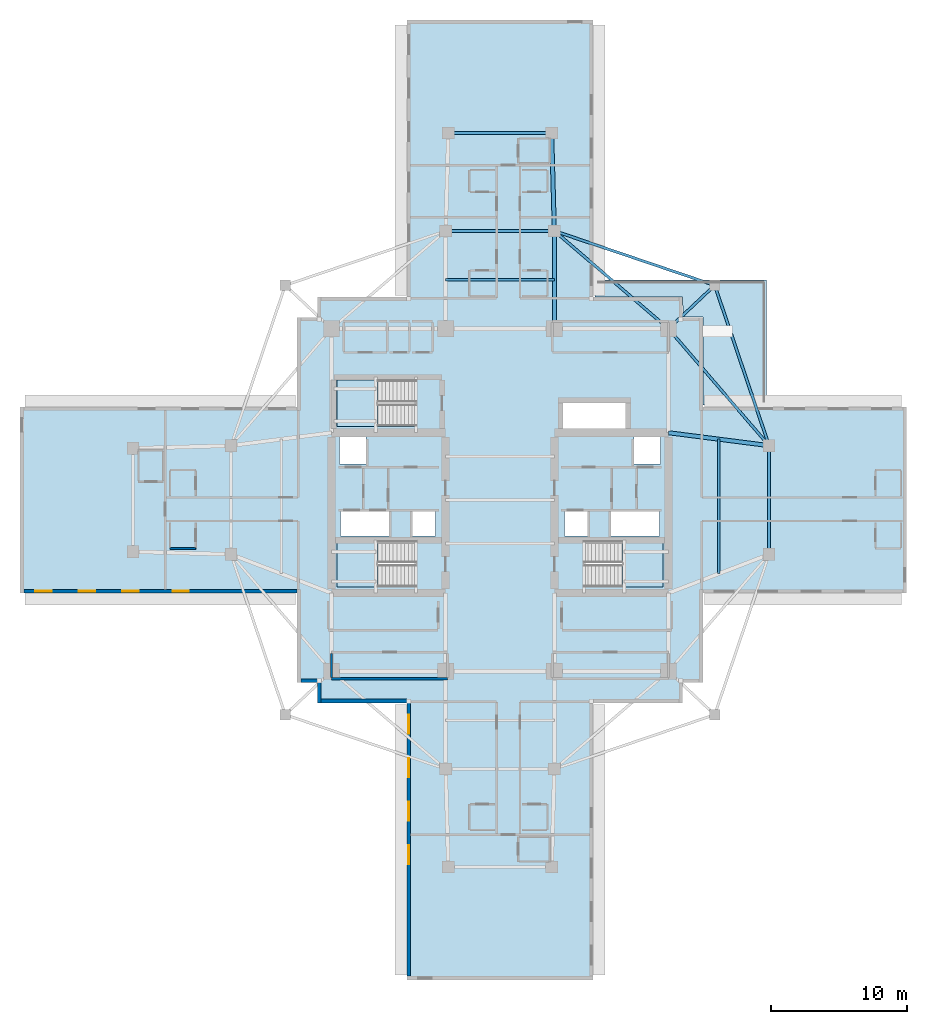
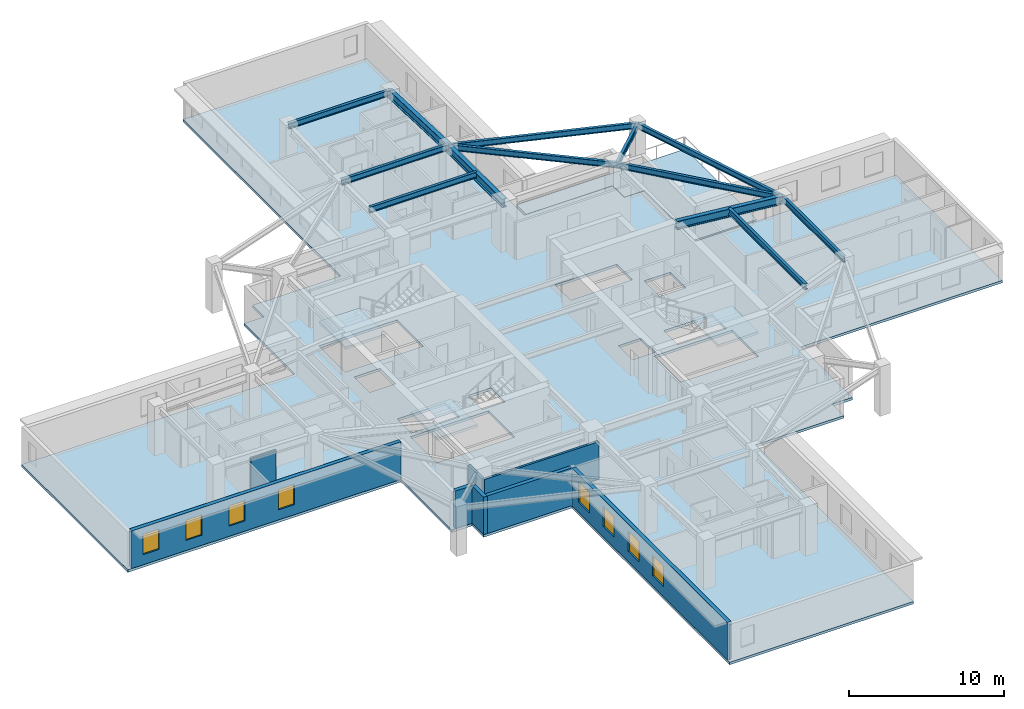
# One storey, part 2 of 13: 13 beams, 8 walls, 8 windows, 5 slabs, 8 openings, 3 elements without a shape of their own.
"""IFC4 building model written with IfcOpenShell, lengths in metres."""

import ifcopenshell
import ifcopenshell.guid

model = None  # the IFC model being written
_history = None  # IfcOwnerHistory: only IFC2X3 demands one
_inside = {}  # id of a spatial element -> (the spatial element, [elements in it])
_under = {}  # id of a project, library or spatial element -> (it, [spatial elements below it])
_declared = {}  # id of a project -> (the project, [libraries it declares])
_typed = {}  # id of a type object -> (the type object, [elements of that type])
_made_of = {}  # id of a material, layer set ... -> (it, [elements and type objects made of it])


def new_model(schema):
    """Start an empty IFC model of exactly this schema.

    Asked for "IFC4X3", IfcOpenShell would pick the latest addendum, in which some entities
    have other attributes; the version numbers below select the first issue.
    IFC2X3 requires an IfcOwnerHistory on every rooted entity: one is made here for all.
    """
    global model, _history
    if schema == "IFC4X3":
        model = ifcopenshell.file(schema_version=(4, 3, 0, 0))
    else:
        model = ifcopenshell.file(schema=schema)
    _inside.clear()
    _under.clear()
    _declared.clear()
    _typed.clear()
    _made_of.clear()
    _history = None
    if model.schema == "IFC2X3":
        org = make("IfcOrganization", Name="unknown")
        user = make(
            "IfcPersonAndOrganization",
            ThePerson=make("IfcPerson", FamilyName="unknown"),
            TheOrganization=org,
        )
        app = make(
            "IfcApplication",
            ApplicationDeveloper=org,
            Version="unknown",
            ApplicationFullName="unknown",
            ApplicationIdentifier="unknown",
        )
        _history = make(
            "IfcOwnerHistory",
            OwningUser=user,
            OwningApplication=app,
            ChangeAction="ADDED",
            CreationDate=0,
        )
    return model


def make(cls, **values):
    """One entity of the class cls with the attributes given. An attribute that is None is left unset."""
    return model.create_entity(
        cls, **{name: value for name, value in values.items() if value is not None}
    )


def rooted(cls, **values):
    """An entity with a GlobalId (a new one), such as an element, a storey or a relation."""
    return make(cls, GlobalId=ifcopenshell.guid.new(), OwnerHistory=_history, **values)


def si_unit(unit_type, name, prefix=None):
    """IfcSIUnit, for example si_unit("LENGTHUNIT", "METRE", prefix="MILLI")."""
    return make("IfcSIUnit", UnitType=unit_type, Prefix=prefix, Name=name)


def assignment(units):
    """IfcUnitAssignment: the units of a project."""
    return None if units is None else make("IfcUnitAssignment", Units=units)


def point(xyz):
    """IfcCartesianPoint."""
    return None if xyz is None else make("IfcCartesianPoint", Coordinates=xyz)


def direction(xyz):
    """IfcDirection."""
    return None if xyz is None else make("IfcDirection", DirectionRatios=xyz)


def frame(location, z_axis=None, x_axis=None):
    """IfcAxis2Placement3D, a coordinate frame: its origin and axes. An axis left out is left unset."""
    return make(
        "IfcAxis2Placement3D",
        Location=point(location),
        Axis=direction(z_axis),
        RefDirection=direction(x_axis),
    )


def frame_2d(location, x_axis=None):
    """IfcAxis2Placement2D, a coordinate frame in the plane: its origin and x axis."""
    return make(
        "IfcAxis2Placement2D", Location=point(location), RefDirection=direction(x_axis)
    )


def origin():
    """The frame at (0, 0, 0) with its axes left unset."""
    return frame((0.0, 0.0, 0.0))


def origin_2d():
    """The frame at (0, 0) in the plane with its x axis left unset."""
    return frame_2d((0.0, 0.0))


def place(relative_to, where):
    """IfcLocalPlacement: puts the frame where relative to a parent placement (None: the world)."""
    return make(
        "IfcLocalPlacement", PlacementRelTo=relative_to, RelativePlacement=where
    )


def context(
    kind, dimensions, precision=None, world=None, true_north=None, identifier=None
):
    """IfcGeometricRepresentationContext, for example the 3D "Model" context."""
    return make(
        "IfcGeometricRepresentationContext",
        ContextIdentifier=identifier,
        ContextType=kind,
        CoordinateSpaceDimension=dimensions,
        Precision=precision,
        WorldCoordinateSystem=world,
        TrueNorth=true_north,
    )


def subcontext(parent, identifier, kind, view, scale=None):
    """IfcGeometricRepresentationSubContext, for example "Body" below "Model"."""
    return make(
        "IfcGeometricRepresentationSubContext",
        ContextIdentifier=identifier,
        ContextType=kind,
        ParentContext=parent,
        TargetScale=scale,
        TargetView=view,
    )


def project(units=None, contexts=None):
    """IfcProject with its units and contexts."""
    return rooted(
        "IfcProject",
        Name="project",
        RepresentationContexts=contexts,
        UnitsInContext=assignment(units),
    )


def spatial(cls, under=None, at=None, **own):
    """A site, building, storey or space (cls), placed at a placement, below another one or the project."""
    s = rooted(cls, ObjectPlacement=at, **own)
    if under is not None:
        _under.setdefault(under.id(), (under, []))[1].append(s)
    return s


def polyline(points):
    """IfcPolyline through the points."""
    return make("IfcPolyline", Points=[point(p) for p in points])


def profile(cls, at=None, kind="AREA", **sizes):
    """A parametric profile (cls). Its sizes go by their IFC names, for example OverallWidth=200.0."""
    return make(cls, ProfileType=kind, Position=at, **sizes)


def rectangle(**sizes):
    """IfcRectangleProfileDef."""
    return profile("IfcRectangleProfileDef", **sizes)


def i_section(**sizes):
    """IfcIShapeProfileDef."""
    return profile("IfcIShapeProfileDef", **sizes)


def outline(outer, holes=None, kind="AREA"):
    """IfcArbitraryClosedProfileDef: a profile drawn as a closed curve; with holes, ...WithVoids."""
    if holes is None:
        return make("IfcArbitraryClosedProfileDef", ProfileType=kind, OuterCurve=outer)
    return make(
        "IfcArbitraryProfileDefWithVoids",
        ProfileType=kind,
        OuterCurve=outer,
        InnerCurves=holes,
    )


def extrude(swept, where, along, depth):
    """IfcExtrudedAreaSolid: the profile swept, set in the frame where, extruded along a direction by depth."""
    return make(
        "IfcExtrudedAreaSolid",
        SweptArea=swept,
        Position=where,
        ExtrudedDirection=direction(along),
        Depth=depth,
    )


def shape(context_of_items, identifier, shape_type, items):
    """IfcShapeRepresentation: the items that make up one representation, for example the "Body"."""
    return make(
        "IfcShapeRepresentation",
        ContextOfItems=context_of_items,
        RepresentationIdentifier=identifier,
        RepresentationType=shape_type,
        Items=items,
    )


def material(Name=None, Category=None):
    """IfcMaterial."""
    return make("IfcMaterial", Name=Name, Category=Category)


def layer(
    of_material, thickness, ventilated=None, Name=None, Category=None, Priority=None
):
    """IfcMaterialLayer: one layer of a wall or slab, of a material (None: an air gap)."""
    return make(
        "IfcMaterialLayer",
        Material=of_material,
        LayerThickness=thickness,
        IsVentilated=ventilated,
        Name=Name,
        Category=Category,
        Priority=Priority,
    )


def layer_set(layers, Name=None):
    """IfcMaterialLayerSet."""
    return make("IfcMaterialLayerSet", MaterialLayers=layers, LayerSetName=Name)


def material_profile(
    of_material, cross_section, Name=None, Category=None, Priority=None
):
    """IfcMaterialProfile: a cross section and its material."""
    return make(
        "IfcMaterialProfile",
        Name=Name,
        Material=of_material,
        Profile=cross_section,
        Priority=Priority,
        Category=Category,
    )


def profile_set(profiles, Name=None, composite=None):
    """IfcMaterialProfileSet."""
    return make(
        "IfcMaterialProfileSet",
        Name=Name,
        MaterialProfiles=profiles,
        CompositeProfile=composite,
    )


def made_of(thing, what):
    """Note that an element or type object is made of a material, layer set ...; save() writes the relation."""
    if what is not None:
        _made_of.setdefault(what.id(), (what, []))[1].append(thing)
    return thing


def type_object(cls, material=None, **own):
    """A type object (cls), such as IfcWallType, which elements share."""
    return made_of(rooted(cls, **own), material)


def element(
    cls,
    number,
    at=None,
    inside=None,
    cuts=None,
    type_object=None,
    material=None,
    context=None,
    identifier="Body",
    shape_type=None,
    held_by="IfcProductDefinitionShape",
    body=None,
    shapes=None,
    **own,
):
    """One element of the class cls, such as IfcWall. Its Tag is "e" and its number.

    at: its placement. inside: the storey or other place that contains it. cuts: it is an
    opening in that element (IfcRelVoidsElement). A single representation is given by context,
    identifier, shape_type and body (its items); several are given by shapes. held_by: the class
    of the entity that holds the representations. save() writes the other relations.
    """
    e = rooted(cls, Tag="e%d" % number, ObjectPlacement=at, **own)
    if body is not None:
        shapes = [shape(context, identifier, shape_type, body)]
    if shapes is not None:
        e.Representation = make(held_by, Representations=shapes)
    if inside is not None:
        _inside.setdefault(inside.id(), (inside, []))[1].append(e)
    if cuts is not None:
        rooted(
            "IfcRelVoidsElement", RelatingBuildingElement=cuts, RelatedOpeningElement=e
        )
    if type_object is not None:
        _typed.setdefault(type_object.id(), (type_object, []))[1].append(e)
    return made_of(e, material)


def fill(opening, filler):
    """IfcRelFillsElement: the door or window that sits in an opening."""
    return rooted(
        "IfcRelFillsElement",
        RelatingOpeningElement=opening,
        RelatedBuildingElement=filler,
    )


def aggregate(whole, parts):
    """IfcRelAggregates: a whole, such as a stair, and the parts it consists of."""
    return rooted("IfcRelAggregates", RelatingObject=whole, RelatedObjects=parts)


def save(model, path):
    """Write the relations noted so far, then the file.

    IfcRelAggregates (storeys below a building ...), IfcRelContainedInSpatialStructure (elements
    in a storey), IfcRelDefinesByType, IfcRelAssociatesMaterial and IfcRelDeclares: one each for
    every whole, place, type object, material and project.
    """
    for whole, parts in _under.values():
        aggregate(whole, parts)
    for where, things in _inside.values():
        rooted(
            "IfcRelContainedInSpatialStructure",
            RelatedElements=things,
            RelatingStructure=where,
        )
    for kind, things in _typed.values():
        rooted("IfcRelDefinesByType", RelatedObjects=things, RelatingType=kind)
    for what, things in _made_of.values():
        rooted("IfcRelAssociatesMaterial", RelatedObjects=things, RelatingMaterial=what)
    for by, libraries in _declared.values():
        rooted("IfcRelDeclares", RelatingContext=by, RelatedDefinitions=libraries)
    model.write(path)


model = new_model("IFC4")

# Units and contexts
model_context = context("Model", 3, precision=1e-05, world=origin(), true_north=direction((0.0, 1.0)))
body_context = subcontext(model_context, "Body", "Model", "MODEL_VIEW")
ifc_project = project(units=[si_unit("LENGTHUNIT", "METRE"), si_unit("AREAUNIT", "SQUARE_METRE"), si_unit("VOLUMEUNIT", "CUBIC_METRE"), si_unit("PLANEANGLEUNIT", "RADIAN"), si_unit("MASSUNIT", "GRAM", prefix="KILO")], contexts=[model_context])

# Site, building, storey
site_placement = place(None, origin())
site = spatial("IfcSite", under=ifc_project, at=site_placement, CompositionType="ELEMENT")
building_placement = place(site_placement, origin())
building = spatial("IfcBuilding", under=site, at=building_placement, Name="Qingluan Cross Belvedere", CompositionType="ELEMENT")
storey_placement = place(building_placement, frame((0.0, 0.0, 183.89990234375)))
storey = spatial("IfcBuildingStorey", under=building, at=storey_placement, Name="L46", CompositionType="ELEMENT", Elevation=183.89990234375)

# Beams
ifc_material_1 = material(Name="Steel Q420GJB", Category="steel")
ifc_material_profile_1 = material_profile(ifc_material_1, i_section(OverallWidth=0.199951171875, OverallDepth=0.449951171875, WebThickness=0.009033203125, FlangeThickness=0.013916015625, FilletRadius=0.01611328125, at=origin_2d()), Name="HN450x200x9x14")
ifc_profile_set_1 = profile_set([ifc_material_profile_1], Name="Steel Q420GJB")
beam_type_1 = type_object("IfcBeamType", Name="Steel_Beam_HN450x200x9x14", PredefinedType="JOIST", material=ifc_profile_set_1)
beam_1_placement = place(storey_placement, frame((12.39990234375, 12.60009765625, 3.455078125), z_axis=(0.728219948308, 0.685343495546, 0.0), x_axis=(-0.685343495546, 0.728219948308, 0.0)))
element("IfcBeam", 1, at=beam_1_placement, inside=storey, type_object=beam_type_1, Name="Corner beam 1 L46-RNE", PredefinedType="JOIST", context=body_context, shape_type="SweptSolid", body=[
    extrude(i_section(OverallWidth=0.199951171875, OverallDepth=0.449951171875, WebThickness=0.009033203125, FlangeThickness=0.013916015625, FilletRadius=0.01611328125, at=origin_2d()), origin(), (0.0, 0.0, 1.0), 4.669189453125),
])
for number, where, z_axis, x_axis, name in (
    (2, (15.800048828125, 15.800048828125, 3.455078125), (-0.947066283324, 0.321038089628, 0.0), (-0.321038089628, -0.947066283324, 0.0), "Corner beam 2 L46-RNE"),
    (3, (15.800048828125, 15.800048828125, 3.455078125), (0.321038089628, -0.947066283324, 0.0), (0.947066283324, 0.321038089628, 0.0), "Corner beam 3 L46-RNE"),
):
    element("IfcBeam", number, at=place(storey_placement, frame(where, z_axis=z_axis, x_axis=x_axis)), inside=storey, type_object=beam_type_1, Name=name, PredefinedType="JOIST", context=body_context, shape_type="SweptSolid", body=[
        extrude(i_section(OverallWidth=0.199951171875, OverallDepth=0.449951171875, WebThickness=0.009033203125, FlangeThickness=0.013916015625, FilletRadius=0.01611328125, at=origin_2d()), origin(), (0.0, 0.0, 1.0), 12.45947265625),
    ])
beam_2_placement = place(storey_placement, frame((12.39990234375, 12.60009765625, 3.455078125), z_axis=(0.652245077546, -0.75800815221, 0.0), x_axis=(0.75800815221, 0.652245077546, 0.0)))
element("IfcBeam", 4, at=beam_2_placement, inside=storey, type_object=beam_type_1, Name="Corner beam 4 L46-RNE", PredefinedType="JOIST", context=body_context, shape_type="SweptSolid", body=[
    extrude(i_section(OverallWidth=0.199951171875, OverallDepth=0.449951171875, WebThickness=0.009033203125, FlangeThickness=0.013916015625, FilletRadius=0.01611328125, at=origin_2d()), origin(), (0.0, 0.0, 1.0), 11.345703125),
])
beam_3_placement = place(storey_placement, frame((12.39990234375, 12.60009765625, 3.455078125), z_axis=(-0.759255044656, 0.650793190779, 0.0), x_axis=(-0.650793190779, -0.759255044656, 0.0)))
element("IfcBeam", 5, at=beam_3_placement, inside=storey, type_object=beam_type_1, Name="Corner beam 5 L46-RNE", PredefinedType="JOIST", context=body_context, shape_type="SweptSolid", body=[
    extrude(i_section(OverallWidth=0.199951171875, OverallDepth=0.449951171875, WebThickness=0.009033203125, FlangeThickness=0.013916015625, FilletRadius=0.01611328125, at=origin_2d()), origin(), (0.0, 0.0, 1.0), 11.063232421875),
])
beam_4_placement = place(storey_placement, frame((19.800048828125, -4.0, 3.47509765625), z_axis=(0.0, 1.0, 0.0), x_axis=(-1.0, 0.0, 0.0)))
element("IfcBeam", 6, at=beam_4_placement, inside=storey, type_object=beam_type_1, Name="Arm E tie L46", PredefinedType="JOIST", context=body_context, shape_type="SweptSolid", body=[
    extrude(i_section(OverallWidth=0.199951171875, OverallDepth=0.449951171875, WebThickness=0.009033203125, FlangeThickness=0.013916015625, FilletRadius=0.01611328125, at=origin_2d()), origin(), (0.0, 0.0, 1.0), 8.0),
])
beam_5_placement = place(storey_placement, frame((16.10009765625, -5.425048828125, 3.47509765625), z_axis=(0.0, 1.0, 0.0), x_axis=(-1.0, 0.0, 0.0)))
element("IfcBeam", 7, at=beam_5_placement, inside=storey, type_object=beam_type_1, Name="Arm E beam L46", PredefinedType="JOIST", context=body_context, shape_type="SweptSolid", body=[
    extrude(i_section(OverallWidth=0.199951171875, OverallDepth=0.449951171875, WebThickness=0.009033203125, FlangeThickness=0.013916015625, FilletRadius=0.01611328125, at=origin_2d()), origin(), (0.0, 0.0, 1.0), 9.900146484375),
])
for number, where, z_axis, x_axis, name in (
    (8, (-4.0, 19.800048828125, 3.47509765625), (1.0, 0.0, 0.0), (0.0, 1.0, 0.0), "Arm N tie L46"),
    (9, (-4.0, 16.199951171875, 3.47509765625), (1.0, 0.0, 0.0), (0.0, 1.0, 0.0), "Arm N beam L46"),
):
    element("IfcBeam", number, at=place(storey_placement, frame(where, z_axis=z_axis, x_axis=x_axis)), inside=storey, type_object=beam_type_1, Name=name, PredefinedType="JOIST", context=body_context, shape_type="SweptSolid", body=[
        extrude(i_section(OverallWidth=0.199951171875, OverallDepth=0.449951171875, WebThickness=0.009033203125, FlangeThickness=0.013916015625, FilletRadius=0.01611328125, at=origin_2d()), origin(), (0.0, 0.0, 1.0), 8.0),
    ])
beam_6_placement = place(storey_placement, frame((-3.800048828125, 27.0, 3.47509765625), z_axis=(1.0, 0.0, 0.0), x_axis=(0.0, 1.0, 0.0)))
element("IfcBeam", 10, at=beam_6_placement, inside=storey, type_object=beam_type_1, Name="Arm N tip transverse beam L46", PredefinedType="JOIST", context=body_context, shape_type="SweptSolid", body=[
    extrude(i_section(OverallWidth=0.199951171875, OverallDepth=0.449951171875, WebThickness=0.009033203125, FlangeThickness=0.013916015625, FilletRadius=0.01611328125, at=origin_2d()), origin(), (0.0, 0.0, 1.0), 7.60009765625),
])
ifc_material_2 = material(Name="Steel Q420GJB", Category="steel")
ifc_material_profile_2 = material_profile(ifc_material_2, i_section(OverallWidth=0.300048828125, OverallDepth=0.64990234375, WebThickness=0.014404296875, FlangeThickness=0.02587890625, FilletRadius=0.027099609375, at=origin_2d()), Name="HEB650")
ifc_profile_set_2 = profile_set([ifc_material_profile_2], Name="Steel Q420GJB")
beam_type_2 = type_object("IfcBeamType", Name="Steel_Girder_HEB650", PredefinedType="USERDEFINED", material=ifc_profile_set_2)
beam_7_placement = place(storey_placement, frame((12.39990234375, 4.949951171875, 3.375), z_axis=(0.991861120628, -0.12732445714, 0.0), x_axis=(0.12732445714, 0.991861120628, 0.0)))
element("IfcBeam", 11, at=beam_7_placement, inside=storey, type_object=beam_type_2, Name="Arm E radial girder B L46", ObjectType="GIRDER", PredefinedType="USERDEFINED", context=body_context, shape_type="SweptSolid", body=[
    extrude(i_section(OverallWidth=0.300048828125, OverallDepth=0.64990234375, WebThickness=0.014404296875, FlangeThickness=0.02587890625, FilletRadius=0.027099609375, at=origin_2d()), origin(), (0.0, 0.0, 1.0), 7.4609375),
])
beam_8_placement = place(storey_placement, frame((4.0, 12.60009765625, 3.375), z_axis=(0.0, 1.0, 0.0), x_axis=(-1.0, 0.0, 0.0)))
element("IfcBeam", 12, at=beam_8_placement, inside=storey, type_object=beam_type_2, Name="Arm N radial girder B L46", ObjectType="GIRDER", PredefinedType="USERDEFINED", context=body_context, shape_type="SweptSolid", body=[
    extrude(i_section(OverallWidth=0.300048828125, OverallDepth=0.64990234375, WebThickness=0.014404296875, FlangeThickness=0.02587890625, FilletRadius=0.027099609375, at=origin_2d()), origin(), (0.0, 0.0, 1.0), 7.199951171875),
])
beam_9_placement = place(storey_placement, frame((4.0, 19.800048828125, 3.375), z_axis=(-0.027760481514, 0.999614603568, 0.0), x_axis=(-0.999614603568, -0.027760481514, 0.0)))
element("IfcBeam", 13, at=beam_9_placement, inside=storey, type_object=beam_type_2, Name="Arm N outer radial girder B L46", ObjectType="GIRDER", PredefinedType="USERDEFINED", context=body_context, shape_type="SweptSolid", body=[
    extrude(i_section(OverallWidth=0.300048828125, OverallDepth=0.64990234375, WebThickness=0.014404296875, FlangeThickness=0.02587890625, FilletRadius=0.027099609375, at=origin_2d()), origin(), (0.0, 0.0, 1.0), 7.20263671875),
])

# Slab
ifc_material_3 = material(Name="Concrete C40", Category="concrete")
ifc_layer_1 = layer(ifc_material_3, 0.199951171875, Name="FloorSlab_200")
ifc_layer_set_1 = layer_set([ifc_layer_1], Name="Concrete C40")
slab_type_1 = type_object("IfcSlabType", Name="FloorSlab_200", PredefinedType="FLOOR", material=ifc_layer_set_1)
slab_1_placement = place(storey_placement, frame((0.0, 0.0, -0.199951171875)))
element("IfcSlab", 14, at=slab_1_placement, inside=storey, type_object=slab_type_1, Name="Structural floor slab L46", PredefinedType="FLOOR", context=body_context, shape_type="SweptSolid", body=[
    extrude(outline(polyline([(6.860107421875, -35.320068359375), (6.860107421875, -14.93994140625), (13.43994140625, -14.93994140625), (13.43994140625, -13.43994140625), (14.93994140625, -13.43994140625), (14.93994140625, -6.860107421875), (29.919921875, -6.860107421875), (29.919921875, 6.860107421875), (14.93994140625, 6.860107421875), (14.93994140625, 13.43994140625), (13.43994140625, 13.43994140625), (13.43994140625, 14.93994140625), (6.860107421875, 14.93994140625), (6.860107421875, 35.320068359375), (-6.860107421875, 35.320068359375), (-6.860107421875, 14.93994140625), (-13.43994140625, 14.93994140625), (-13.43994140625, 13.43994140625), (-14.93994140625, 13.43994140625), (-14.93994140625, 6.860107421875), (-35.320068359375, 6.860107421875), (-35.320068359375, -6.860107421875), (-14.93994140625, -6.860107421875), (-14.93994140625, -13.43994140625), (-13.43994140625, -13.43994140625), (-13.43994140625, -14.93994140625), (-6.860107421875, -14.93994140625), (-6.860107421875, -35.320068359375), (6.860107421875, -35.320068359375)]), holes=[polyline([(-12.0, -3.0), (-6.179931640625, -3.0), (-6.179931640625, -6.39990234375), (-12.0, -6.39990234375), (-12.0, -3.0)]), polyline([(6.179931640625, -3.0), (12.0, -3.0), (12.0, -6.39990234375), (6.179931640625, -6.39990234375), (6.179931640625, -3.0)]), polyline([(-12.0, 8.820068359375), (-6.179931640625, 8.820068359375), (-6.179931640625, 5.419921875), (-12.0, 5.419921875), (-12.0, 8.820068359375)]), polyline([(-11.800048828125, 4.64990234375), (-9.85009765625, 4.64990234375), (-9.85009765625, 2.64990234375), (-11.800048828125, 2.64990234375), (-11.800048828125, 4.64990234375)]), polyline([(9.85009765625, 4.64990234375), (11.800048828125, 4.64990234375), (11.800048828125, 2.64990234375), (9.85009765625, 2.64990234375), (9.85009765625, 4.64990234375)]), polyline([(-11.75, -0.840087890625), (-8.14990234375, -0.840087890625), (-8.14990234375, -2.659912109375), (-11.75, -2.659912109375), (-11.75, -0.840087890625)]), polyline([(-6.449951171875, -0.840087890625), (-4.75, -0.840087890625), (-4.75, -2.659912109375), (-6.449951171875, -2.659912109375), (-6.449951171875, -0.840087890625)]), polyline([(4.75, -0.840087890625), (6.449951171875, -0.840087890625), (6.449951171875, -2.659912109375), (4.75, -2.659912109375), (4.75, -0.840087890625)]), polyline([(8.14990234375, -0.840087890625), (11.75, -0.840087890625), (11.75, -2.659912109375), (8.14990234375, -2.659912109375), (8.14990234375, -0.840087890625)]), polyline([(4.64990234375, 7.14990234375), (9.25, 7.14990234375), (9.25, 5.14990234375), (4.64990234375, 5.14990234375), (4.64990234375, 7.14990234375)])]), origin(), (0.0, 0.0, 1.0), 0.199951171875),
])

# Stair, slab
ifc_material_4 = material(Name="Concrete C40", Category="concrete")
stair_type = type_object("IfcStairType", Name="CoreDoglegStair_1620", PredefinedType="HALF_TURN_STAIR", material=ifc_material_4)
stair_1_placement = place(storey_placement, origin())
stair_1 = element("IfcStair", 15, at=stair_1_placement, inside=storey, type_object=stair_type, Name="L46 ST1", PredefinedType="HALF_TURN_STAIR")
ifc_material_5 = material(Name="Concrete C40", Category="concrete")
ifc_layer_2 = layer(ifc_material_5, 0.179931640625, Name="StairLandingSlab_180")
ifc_layer_set_2 = layer_set([ifc_layer_2], Name="Concrete C40")
slab_type_2 = type_object("IfcSlabType", Name="StairLandingSlab_180", PredefinedType="LANDING", material=ifc_layer_set_2)
slab_2_placement = place(storey_placement, frame((0.0, 0.0, 1.75)))
slab_2 = element("IfcSlab", 16, at=slab_2_placement, type_object=slab_type_2, Name="ST1 landing 1", PredefinedType="LANDING", context=body_context, shape_type="SweptSolid", body=[
    extrude(outline(polyline([(-8.97998046875, -3.0), (-12.0, -3.0), (-12.0, -6.39990234375), (-8.97998046875, -6.39990234375), (-8.97998046875, -3.0)])), origin(), (0.0, 0.0, 1.0), 0.2001953125),
])
aggregate(stair_1, [slab_2])

stair_2_placement = place(storey_placement, origin())
stair_2 = element("IfcStair", 17, at=stair_2_placement, inside=storey, type_object=stair_type, Name="L46 ST2", PredefinedType="HALF_TURN_STAIR")
slab_3_placement = place(storey_placement, frame((0.0, 0.0, 1.75)))
slab_3 = element("IfcSlab", 18, at=slab_3_placement, type_object=slab_type_2, Name="ST2 landing 1", PredefinedType="LANDING", context=body_context, shape_type="SweptSolid", body=[
    extrude(outline(polyline([(8.97998046875, -6.39990234375), (12.0, -6.39990234375), (12.0, -3.0), (8.97998046875, -3.0), (8.97998046875, -6.39990234375)])), origin(), (0.0, 0.0, 1.0), 0.2001953125),
])
aggregate(stair_2, [slab_3])

stair_3_placement = place(storey_placement, origin())
stair_3 = element("IfcStair", 19, at=stair_3_placement, inside=storey, type_object=stair_type, Name="L46 ST3", PredefinedType="HALF_TURN_STAIR")
slab_4_placement = place(storey_placement, frame((0.0, 0.0, 1.75)))
slab_4 = element("IfcSlab", 20, at=slab_4_placement, type_object=slab_type_2, Name="ST3 landing 1", PredefinedType="LANDING", context=body_context, shape_type="SweptSolid", body=[
    extrude(outline(polyline([(-8.97998046875, 8.820068359375), (-12.0, 8.820068359375), (-12.0, 5.419921875), (-8.97998046875, 5.419921875), (-8.97998046875, 8.820068359375)])), origin(), (0.0, 0.0, 1.0), 0.2001953125),
])
aggregate(stair_3, [slab_4])

# Slab
ifc_material_6 = material(Name="Concrete C40", Category="concrete")
ifc_layer_3 = layer(ifc_material_6, 0.219970703125, Name="TerraceSlab_220")
ifc_layer_set_3 = layer_set([ifc_layer_3], Name="Concrete C40")
slab_type_3 = type_object("IfcSlabType", Name="TerraceSlab_220", PredefinedType="FLOOR", material=ifc_layer_set_3)
slab_5_placement = place(storey_placement, frame((0.0, 0.0, -0.219970703125)))
element("IfcSlab", 21, at=slab_5_placement, inside=storey, type_object=slab_type_3, Name="Spiralling winter-garden terrace slab L46", PredefinedType="FLOOR", context=body_context, shape_type="SweptSolid", body=[
    extrude(outline(polyline([(7.0, 14.949951171875), (13.445556640625, 14.9482421875), (13.449951171875, 13.449951171875), (14.93994140625, 13.449951171875), (14.94970703125, 13.44189453125), (14.949951171875, 7.0), (19.60009765625, 7.0), (19.60009765625, 16.199951171875), (7.0, 16.199951171875), (7.0, 14.949951171875)])), origin(), (0.0, 0.0, 1.0), 0.219970703125),
])

# Walls
ifc_material_7 = material(Name="Gypsum plasterboard on steel stud acoustic partition", Category="steel")
ifc_layer_4 = layer(ifc_material_7, 0.159912109375, Name="CorridorPartition_160")
ifc_layer_set_4 = layer_set([ifc_layer_4], Name="Gypsum plasterboard on steel stud acoustic partition")
wall_type_1 = type_object("IfcWallType", Name="CorridorPartition_160", PredefinedType="PARTITIONING", material=ifc_layer_set_4)
wall_1_placement = place(storey_placement, frame((-12.39990234375, -13.14990234375, 0.0), z_axis=(0.0, 0.0, 1.0), x_axis=(1.0, 0.0, 0.0)))
element("IfcWall", 22, at=wall_1_placement, inside=storey, type_object=wall_type_1, Name="Partition L46:q_sw:S", PredefinedType="PARTITIONING", context=body_context, shape_type="SweptSolid", body=[
    extrude(rectangle(XDim=8.5498046875, YDim=0.159912109375, at=frame_2d((4.27490234375, 0.0))), origin(), (0.0, 0.0, 1.0), 2.960205078125),
])
wall_2_placement = place(storey_placement, frame((-12.39990234375, -13.06494140625, 0.0), z_axis=(0.0, 0.0, 1.0), x_axis=(0.0, 1.0, 0.0)))
element("IfcWall", 23, at=wall_2_placement, inside=storey, type_object=wall_type_1, Name="Partition L46:q_sw:W", PredefinedType="PARTITIONING", context=body_context, shape_type="SweptSolid", body=[
    extrude(rectangle(XDim=1.780029296875, YDim=0.159912109375, at=frame_2d((0.89013671875, 0.0))), origin(), (0.0, 0.0, 1.0), 2.960205078125),
])
ifc_material_8 = material(Name="Moisture-resistant gypsum board lining")
ifc_layer_5 = layer(ifc_material_8, 0.1201171875, Name="EnsuiteWetPartition_120")
ifc_layer_set_5 = layer_set([ifc_layer_5], Name="Moisture-resistant gypsum board lining")
wall_type_2 = type_object("IfcWallType", Name="EnsuiteWetPartition_120", PredefinedType="PARTITIONING", material=ifc_layer_set_5)
wall_3_placement = place(storey_placement, frame((-22.389892578125, -3.56494140625, 0.0), z_axis=(0.0, 0.0, 1.0), x_axis=(-1.0, 0.0, 0.0)))
element("IfcWall", 24, at=wall_3_placement, inside=storey, type_object=wall_type_2, Name="Partition L46:W:bc1_0", PredefinedType="PARTITIONING", context=body_context, shape_type="SweptSolid", body=[
    extrude(rectangle(XDim=1.880126953125, YDim=0.1201171875, at=frame_2d((0.93994140625, 0.0))), origin(), (0.0, 0.0, 1.0), 2.960205078125),
])

# Wall, openings, windows
ifc_material_9 = material(Name="Precast concrete C45", Category="concrete")
ifc_layer_6 = layer(ifc_material_9, 0.280029296875, Name="PrecastFacadeWall_280")
ifc_layer_set_6 = layer_set([ifc_layer_6], Name="Precast concrete C45")
wall_type_3 = type_object("IfcWallType", Name="PrecastFacadeWall_280", PredefinedType="STANDARD", material=ifc_layer_set_6)
wall_4_placement = place(storey_placement, frame((-35.0400390625, -6.719970703125, 0.0), z_axis=(0.0, 0.0, 1.0), x_axis=(1.0, 0.0, 0.0)))
wall_4 = element("IfcWall", 25, at=wall_4_placement, inside=storey, type_object=wall_type_3, Name="Facade wall L46-WB", PredefinedType="STANDARD", context=body_context, shape_type="SweptSolid", body=[
    extrude(rectangle(XDim=20.10009765625, YDim=0.280029296875, at=frame_2d((10.050048828125, 0.0))), origin(), (0.0, 0.0, 1.0), 2.97021484375),
])
opening_1_placement = place(wall_4_placement, frame((0.85009765625, 0.0, 0.800048828125)))
opening_1 = element("IfcOpeningElement", 26, at=opening_1_placement, cuts=wall_4, Name="Opening W-02", PredefinedType="OPENING", context=body_context, shape_type="SweptSolid", body=[
    extrude(rectangle(XDim=1.199951171875, YDim=1.60009765625, at=frame_2d((0.60009765625, 0.800048828125))), frame((0.0, 0.14990234375, 0.0), z_axis=(0.0, -1.0, 0.0), x_axis=(1.0, 0.0, 0.0)), (0.0, 0.0, 1.0), 0.300048828125),
])
opening_2_placement = place(wall_4_placement, frame((4.050048828125, 0.0, 0.800048828125)))
opening_2 = element("IfcOpeningElement", 27, at=opening_2_placement, cuts=wall_4, Name="Opening W-02", PredefinedType="OPENING", context=body_context, shape_type="SweptSolid", body=[
    extrude(rectangle(XDim=1.199951171875, YDim=1.60009765625, at=frame_2d((0.60009765625, 0.800048828125))), frame((0.0, 0.14990234375, 0.0), z_axis=(0.0, -1.0, 0.0), x_axis=(1.0, 0.0, 0.0)), (0.0, 0.0, 1.0), 0.300048828125),
])
opening_3_placement = place(wall_4_placement, frame((7.25, 0.0, 0.800048828125)))
opening_3 = element("IfcOpeningElement", 28, at=opening_3_placement, cuts=wall_4, Name="Opening W-02", PredefinedType="OPENING", context=body_context, shape_type="SweptSolid", body=[
    extrude(rectangle(XDim=1.199951171875, YDim=1.60009765625, at=frame_2d((0.60009765625, 0.800048828125))), frame((0.0, 0.14990234375, 0.0), z_axis=(0.0, -1.0, 0.0), x_axis=(1.0, 0.0, 0.0)), (0.0, 0.0, 1.0), 0.300048828125),
])
opening_4_placement = place(wall_4_placement, frame((10.949951171875, 0.0, 0.800048828125)))
opening_4 = element("IfcOpeningElement", 29, at=opening_4_placement, cuts=wall_4, Name="Opening W-02", PredefinedType="OPENING", context=body_context, shape_type="SweptSolid", body=[
    extrude(rectangle(XDim=1.199951171875, YDim=1.60009765625, at=frame_2d((0.60009765625, 0.800048828125))), frame((0.0, 0.14990234375, 0.0), z_axis=(0.0, -1.0, 0.0), x_axis=(1.0, 0.0, 0.0)), (0.0, 0.0, 1.0), 0.300048828125),
])
ifc_material_10 = material(Name="Thermally broken triple Low-E glass in aluminium frame", Category="aluminium")
window_type_1 = type_object("IfcWindowType", Name="TriRibbonWin_1200x1600", PartitioningType="SINGLE_PANEL", PredefinedType="WINDOW", material=ifc_material_10)
window_1_placement = place(opening_1_placement, origin())
window_1 = element("IfcWindow", 30, at=window_1_placement, inside=storey, type_object=window_type_1, Name="Ribbon window L46-WB-1", OverallHeight=1.60009765625, OverallWidth=1.199951171875, PartitioningType="SINGLE_PANEL", PredefinedType="WINDOW", context=body_context, shape_type="SweptSolid", body=[
    extrude(rectangle(XDim=1.199951171875, YDim=1.60009765625, at=frame_2d((0.60009765625, 0.800048828125))), frame((0.0, 0.030029296875, 0.0), z_axis=(0.0, -1.0, 0.0), x_axis=(1.0, 0.0, 0.0)), (0.0, 0.0, 1.0), 0.06005859375),
])
fill(opening_1, window_1)
window_2_placement = place(opening_2_placement, origin())
window_2 = element("IfcWindow", 31, at=window_2_placement, inside=storey, type_object=window_type_1, Name="Ribbon window L46-WB-2", OverallHeight=1.60009765625, OverallWidth=1.199951171875, PartitioningType="SINGLE_PANEL", PredefinedType="WINDOW", context=body_context, shape_type="SweptSolid", body=[
    extrude(rectangle(XDim=1.199951171875, YDim=1.60009765625, at=frame_2d((0.60009765625, 0.800048828125))), frame((0.0, 0.030029296875, 0.0), z_axis=(0.0, -1.0, 0.0), x_axis=(1.0, 0.0, 0.0)), (0.0, 0.0, 1.0), 0.06005859375),
])
fill(opening_2, window_2)
window_3_placement = place(opening_3_placement, origin())
window_3 = element("IfcWindow", 32, at=window_3_placement, inside=storey, type_object=window_type_1, Name="Ribbon window L46-WB-3", OverallHeight=1.60009765625, OverallWidth=1.199951171875, PartitioningType="SINGLE_PANEL", PredefinedType="WINDOW", context=body_context, shape_type="SweptSolid", body=[
    extrude(rectangle(XDim=1.199951171875, YDim=1.60009765625, at=frame_2d((0.60009765625, 0.800048828125))), frame((0.0, 0.030029296875, 0.0), z_axis=(0.0, -1.0, 0.0), x_axis=(1.0, 0.0, 0.0)), (0.0, 0.0, 1.0), 0.06005859375),
])
fill(opening_3, window_3)
window_4_placement = place(opening_4_placement, origin())
window_4 = element("IfcWindow", 33, at=window_4_placement, inside=storey, type_object=window_type_1, Name="Ribbon window L46-WB-4", OverallHeight=1.60009765625, OverallWidth=1.199951171875, PartitioningType="SINGLE_PANEL", PredefinedType="WINDOW", context=body_context, shape_type="SweptSolid", body=[
    extrude(rectangle(XDim=1.199951171875, YDim=1.60009765625, at=frame_2d((0.60009765625, 0.800048828125))), frame((0.0, 0.030029296875, 0.0), z_axis=(0.0, -1.0, 0.0), x_axis=(1.0, 0.0, 0.0)), (0.0, 0.0, 1.0), 0.06005859375),
])
fill(opening_4, window_4)

wall_5_placement = place(storey_placement, frame((-6.719970703125, -14.93994140625, 0.0), z_axis=(0.0, 0.0, 1.0), x_axis=(0.0, -1.0, 0.0)))
wall_5 = element("IfcWall", 34, at=wall_5_placement, inside=storey, type_object=wall_type_3, Name="Facade wall L46-SA", PredefinedType="STANDARD", context=body_context, shape_type="SweptSolid", body=[
    extrude(rectangle(XDim=20.10009765625, YDim=0.280029296875, at=frame_2d((10.050048828125, 0.0))), origin(), (0.0, 0.0, 1.0), 2.97021484375),
])
opening_5_placement = place(wall_5_placement, frame((0.85009765625, 0.0, 0.800048828125)))
opening_5 = element("IfcOpeningElement", 35, at=opening_5_placement, cuts=wall_5, Name="Opening W-01", PredefinedType="OPENING", context=body_context, shape_type="SweptSolid", body=[
    extrude(rectangle(XDim=1.39990234375, YDim=1.60009765625, at=frame_2d((0.699951171875, 0.800048828125))), frame((0.0, 0.14990234375, 0.0), z_axis=(0.0, -1.0, 0.0), x_axis=(1.0, 0.0, 0.0)), (0.0, 0.0, 1.0), 0.300048828125),
])
opening_6_placement = place(wall_5_placement, frame((4.050048828125, 0.0, 0.800048828125)))
opening_6 = element("IfcOpeningElement", 36, at=opening_6_placement, cuts=wall_5, Name="Opening W-01", PredefinedType="OPENING", context=body_context, shape_type="SweptSolid", body=[
    extrude(rectangle(XDim=1.39990234375, YDim=1.60009765625, at=frame_2d((0.699951171875, 0.800048828125))), frame((0.0, 0.14990234375, 0.0), z_axis=(0.0, -1.0, 0.0), x_axis=(1.0, 0.0, 0.0)), (0.0, 0.0, 1.0), 0.300048828125),
])
opening_7_placement = place(wall_5_placement, frame((7.25, 0.0, 0.800048828125)))
opening_7 = element("IfcOpeningElement", 37, at=opening_7_placement, cuts=wall_5, Name="Opening W-01", PredefinedType="OPENING", context=body_context, shape_type="SweptSolid", body=[
    extrude(rectangle(XDim=1.39990234375, YDim=1.60009765625, at=frame_2d((0.699951171875, 0.800048828125))), frame((0.0, 0.14990234375, 0.0), z_axis=(0.0, -1.0, 0.0), x_axis=(1.0, 0.0, 0.0)), (0.0, 0.0, 1.0), 0.300048828125),
])
opening_8_placement = place(wall_5_placement, frame((10.449951171875, 0.0, 0.800048828125)))
opening_8 = element("IfcOpeningElement", 38, at=opening_8_placement, cuts=wall_5, Name="Opening W-01", PredefinedType="OPENING", context=body_context, shape_type="SweptSolid", body=[
    extrude(rectangle(XDim=1.39990234375, YDim=1.60009765625, at=frame_2d((0.699951171875, 0.800048828125))), frame((0.0, 0.14990234375, 0.0), z_axis=(0.0, -1.0, 0.0), x_axis=(1.0, 0.0, 0.0)), (0.0, 0.0, 1.0), 0.300048828125),
])
ifc_material_11 = material(Name="Thermally broken triple Low-E glass in aluminium frame", Category="aluminium")
window_type_2 = type_object("IfcWindowType", Name="TriRibbonWin_1400x1600", PartitioningType="SINGLE_PANEL", PredefinedType="WINDOW", material=ifc_material_11)
window_5_placement = place(opening_5_placement, origin())
window_5 = element("IfcWindow", 39, at=window_5_placement, inside=storey, type_object=window_type_2, Name="Ribbon window L46-SA-1", OverallHeight=1.60009765625, OverallWidth=1.39990234375, PartitioningType="SINGLE_PANEL", PredefinedType="WINDOW", context=body_context, shape_type="SweptSolid", body=[
    extrude(rectangle(XDim=1.39990234375, YDim=1.60009765625, at=frame_2d((0.699951171875, 0.800048828125))), frame((0.0, 0.030029296875, 0.0), z_axis=(0.0, -1.0, 0.0), x_axis=(1.0, 0.0, 0.0)), (0.0, 0.0, 1.0), 0.06005859375),
])
fill(opening_5, window_5)
window_6_placement = place(opening_6_placement, origin())
window_6 = element("IfcWindow", 40, at=window_6_placement, inside=storey, type_object=window_type_2, Name="Ribbon window L46-SA-2", OverallHeight=1.60009765625, OverallWidth=1.39990234375, PartitioningType="SINGLE_PANEL", PredefinedType="WINDOW", context=body_context, shape_type="SweptSolid", body=[
    extrude(rectangle(XDim=1.39990234375, YDim=1.60009765625, at=frame_2d((0.699951171875, 0.800048828125))), frame((0.0, 0.030029296875, 0.0), z_axis=(0.0, -1.0, 0.0), x_axis=(1.0, 0.0, 0.0)), (0.0, 0.0, 1.0), 0.06005859375),
])
fill(opening_6, window_6)
window_7_placement = place(opening_7_placement, origin())
window_7 = element("IfcWindow", 41, at=window_7_placement, inside=storey, type_object=window_type_2, Name="Ribbon window L46-SA-3", OverallHeight=1.60009765625, OverallWidth=1.39990234375, PartitioningType="SINGLE_PANEL", PredefinedType="WINDOW", context=body_context, shape_type="SweptSolid", body=[
    extrude(rectangle(XDim=1.39990234375, YDim=1.60009765625, at=frame_2d((0.699951171875, 0.800048828125))), frame((0.0, 0.030029296875, 0.0), z_axis=(0.0, -1.0, 0.0), x_axis=(1.0, 0.0, 0.0)), (0.0, 0.0, 1.0), 0.06005859375),
])
fill(opening_7, window_7)
window_8_placement = place(opening_8_placement, origin())
window_8 = element("IfcWindow", 42, at=window_8_placement, inside=storey, type_object=window_type_2, Name="Ribbon window L46-SA-4", OverallHeight=1.60009765625, OverallWidth=1.39990234375, PartitioningType="SINGLE_PANEL", PredefinedType="WINDOW", context=body_context, shape_type="SweptSolid", body=[
    extrude(rectangle(XDim=1.39990234375, YDim=1.60009765625, at=frame_2d((0.699951171875, 0.800048828125))), frame((0.0, 0.030029296875, 0.0), z_axis=(0.0, -1.0, 0.0), x_axis=(1.0, 0.0, 0.0)), (0.0, 0.0, 1.0), 0.06005859375),
])
fill(opening_8, window_8)

# Walls
wall_6_placement = place(storey_placement, frame((-14.659912109375, -13.300048828125, 0.0), z_axis=(0.0, 0.0, 1.0), x_axis=(1.0, 0.0, 0.0)))
element("IfcWall", 43, at=wall_6_placement, inside=storey, type_object=wall_type_3, Name="Corner wall L46-SW2", PredefinedType="STANDARD", context=body_context, shape_type="SweptSolid", body=[
    extrude(rectangle(XDim=1.219970703125, YDim=0.280029296875, at=frame_2d((0.60986328125, 0.0))), origin(), (0.0, 0.0, 1.0), 2.97021484375),
])
wall_7_placement = place(storey_placement, frame((-13.300048828125, -13.43994140625, 0.0), z_axis=(0.0, 0.0, 1.0), x_axis=(0.0, -1.0, 0.0)))
element("IfcWall", 44, at=wall_7_placement, inside=storey, type_object=wall_type_3, Name="Corner wall L46-SW3", PredefinedType="STANDARD", context=body_context, shape_type="SweptSolid", body=[
    extrude(rectangle(XDim=1.5, YDim=0.280029296875, at=frame_2d((0.75, 0.0))), origin(), (0.0, 0.0, 1.0), 2.97021484375),
])
wall_8_placement = place(storey_placement, frame((-13.159912109375, -14.800048828125, 0.0), z_axis=(0.0, 0.0, 1.0), x_axis=(1.0, 0.0, 0.0)))
element("IfcWall", 45, at=wall_8_placement, inside=storey, type_object=wall_type_3, Name="Corner wall L46-SW4", PredefinedType="STANDARD", context=body_context, shape_type="SweptSolid", body=[
    extrude(rectangle(XDim=6.2998046875, YDim=0.280029296875, at=frame_2d((3.14990234375, 0.0))), origin(), (0.0, 0.0, 1.0), 2.97021484375),
])

save(model, "model.ifc")
